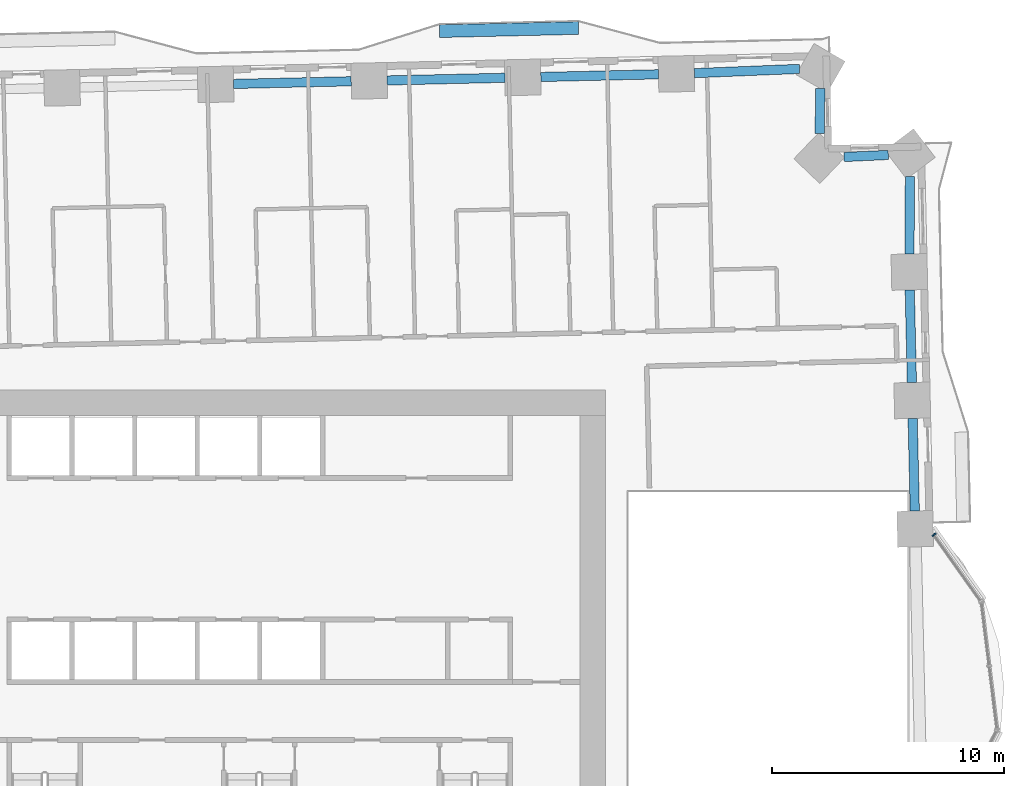
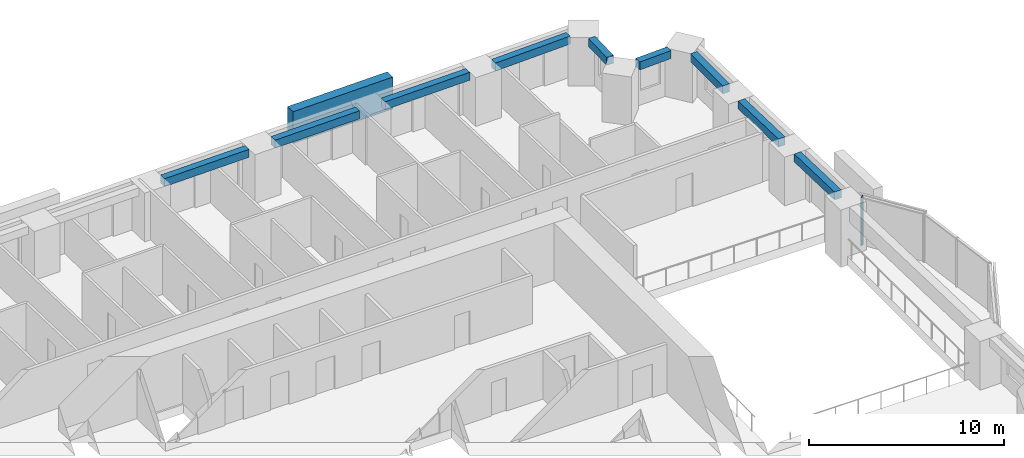
# One storey, part 2 of 16: 9 beams, 2 members, 1 element without a shape of its own.
"""IFC4 building model written with IfcOpenShell, lengths in metres."""

from ifc_helpers import new_model, si_unit, direction, frame, origin, origin_2d, place, context, subcontext, project, spatial, rectangle, extrude, material, material_profile, profile_set, type_object, element, aggregate, save


model = new_model("IFC4")

# Units and contexts
model_context = context("Model", 3, precision=1e-05, world=origin(), true_north=direction((0.0, 1.0)))
body_context = subcontext(model_context, "Body", "Model", "MODEL_VIEW")
ifc_project = project(units=[si_unit("LENGTHUNIT", "METRE"), si_unit("AREAUNIT", "SQUARE_METRE"), si_unit("VOLUMEUNIT", "CUBIC_METRE"), si_unit("PLANEANGLEUNIT", "RADIAN"), si_unit("MASSUNIT", "GRAM", prefix="KILO")], contexts=[model_context])

# Site, building, storey
site_placement = place(None, origin())
site = spatial("IfcSite", under=ifc_project, at=site_placement, CompositionType="ELEMENT")
building_placement = place(site_placement, origin())
building = spatial("IfcBuilding", under=site, at=building_placement, Name="Mangrove Gate Tower", CompositionType="ELEMENT")
storey_placement = place(building_placement, frame((0.0, 0.0, 34.10009765625)))
storey = spatial("IfcBuildingStorey", under=building, at=storey_placement, Name="L07", CompositionType="ELEMENT", Elevation=34.10009765625)

# Curtain wall, member
ifc_material_1 = material(Name="Aluminium and glass curtain wall", Category="aluminium")
curtain_wall_type = type_object("IfcCurtainWallType", Name="Atrium garden-court glazing wall", PredefinedType="NOTDEFINED", material=ifc_material_1)
curtain_wall_placement = place(storey_placement, origin())
curtain_wall = element("IfcCurtainWall", 1, at=curtain_wall_placement, inside=storey, type_object=curtain_wall_type, Name="Atrium garden-court glazing E1f3", PredefinedType="NOTDEFINED")
ifc_material_2 = material(Name="Aluminium alloy 6063-T6", Category="aluminium")
ifc_material_profile_1 = material_profile(ifc_material_2, rectangle(XDim=0.070068359375, YDim=0.199951171875, at=origin_2d()))
ifc_profile_set_1 = profile_set([ifc_material_profile_1], Name="Aluminium alloy 6063-T6")
member_type_1 = type_object("IfcMemberType", Name="Atrium garden-court glazing mullion 70x200", PredefinedType="MULLION", material=ifc_profile_set_1)
member_1_placement = place(storey_placement, frame((29.07177734375, 5.64892578125, 0.0), z_axis=(0.0, 0.0, 1.0), x_axis=(-0.578122631637, 0.815949889877, 0.0)))
member_1 = element("IfcMember", 2, at=member_1_placement, type_object=member_type_1, Name="CWA mullion 2", PredefinedType="MULLION", context=body_context, shape_type="SweptSolid", body=[
    extrude(rectangle(XDim=0.070068359375, YDim=0.199951171875, at=origin_2d()), origin(), (0.0, 0.0, 1.0), 3.0498046875),
])
aggregate(curtain_wall, [member_1])

# Member
ifc_material_3 = material(Name="Planting on aluminium trellis", Category="aluminium")
ifc_material_profile_2 = material_profile(ifc_material_3, rectangle(XDim=0.550048828125, YDim=2.0, at=origin_2d()))
ifc_profile_set_2 = profile_set([ifc_material_profile_2], Name="Planting on aluminium trellis")
member_type_2 = type_object("IfcMemberType", Name="Balcony greenery screen 550x2000", PredefinedType="USERDEFINED", material=ifc_profile_set_2)
member_2_placement = place(storey_placement, frame((7.743896484375, 27.368896484375, 1.7998046875), z_axis=(0.999743178102, 0.022662255828, 0.0), x_axis=(-0.022662255828, 0.999743178102, 0.0)))
element("IfcMember", 3, at=member_2_placement, inside=storey, type_object=member_type_2, Name="GREEN SCREEN L07 N0.1", ObjectType="PLANTING", PredefinedType="USERDEFINED", context=body_context, shape_type="SweptSolid", body=[
    extrude(rectangle(XDim=0.550048828125, YDim=2.0, at=origin_2d()), origin(), (0.0, 0.0, 1.0), 6.00048828125),
])

# Beams
ifc_material_4 = material(Name="Concrete C50/60", Category="concrete")
ifc_material_profile_3 = material_profile(ifc_material_4, rectangle(XDim=0.39990234375, YDim=0.5, at=origin_2d()))
ifc_profile_set_3 = profile_set([ifc_material_profile_3], Name="Concrete C50/60")
beam_type = type_object("IfcBeamType", Name="Edge beam RC 400x500 C50/60", PredefinedType="BEAM", material=ifc_profile_set_3)
beam_1_placement = place(storey_placement, frame((28.24365234375, 6.67919921875, 2.7998046875), z_axis=(-0.022753361423, 0.99974110876, 0.0), x_axis=(-0.99974110876, -0.022753361423, 0.0)))
element("IfcBeam", 4, at=beam_1_placement, inside=storey, type_object=beam_type, Name="Edge beam L07 18", PredefinedType="BEAM", context=body_context, shape_type="SweptSolid", body=[
    extrude(rectangle(XDim=0.39990234375, YDim=0.5, at=origin_2d()), origin(), (0.0, 0.0, 1.0), 3.991455078125),
])
beam_2_placement = place(storey_placement, frame((28.11767578125, 12.21923828125, 2.7998046875), z_axis=(-0.022564441197, 0.999745390584, 0.0), x_axis=(-0.999745390584, -0.022564441197, 0.0)))
element("IfcBeam", 5, at=beam_2_placement, inside=storey, type_object=beam_type, Name="Edge beam L07 19", PredefinedType="BEAM", context=body_context, shape_type="SweptSolid", body=[
    extrude(rectangle(XDim=0.39990234375, YDim=0.5, at=origin_2d()), origin(), (0.0, 0.0, 1.0), 3.992431640625),
])
beam_3_placement = place(storey_placement, frame((28.014892578125, 17.7607421875, 2.7998046875), z_axis=(0.006070689773, 0.999981573193, 0.0), x_axis=(-0.999981573193, 0.006070689773, 0.0)))
element("IfcBeam", 6, at=beam_3_placement, inside=storey, type_object=beam_type, Name="Edge beam L07 20", PredefinedType="BEAM", context=body_context, shape_type="SweptSolid", body=[
    extrude(rectangle(XDim=0.39990234375, YDim=0.5, at=origin_2d()), origin(), (0.0, 0.0, 1.0), 3.337890625),
])
beam_4_placement = place(storey_placement, frame((27.102294921875, 22.03125, 2.7998046875), z_axis=(-0.99890541483, -0.046775765331, 0.0), x_axis=(0.046775765331, -0.99890541483, 0.0)))
element("IfcBeam", 7, at=beam_4_placement, inside=storey, type_object=beam_type, Name="Edge beam L07 21", PredefinedType="BEAM", context=body_context, shape_type="SweptSolid", body=[
    extrude(rectangle(XDim=0.39990234375, YDim=0.5, at=origin_2d()), origin(), (0.0, 0.0, 1.0), 1.910400390625),
])
beam_5_placement = place(storey_placement, frame((24.140625, 22.9482421875, 2.7998046875), z_axis=(0.015187803628, 0.999884658659, 0.0), x_axis=(-0.999884658659, 0.015187803628, 0.0)))
element("IfcBeam", 8, at=beam_5_placement, inside=storey, type_object=beam_type, Name="Edge beam L07 22", PredefinedType="BEAM", context=body_context, shape_type="SweptSolid", body=[
    extrude(rectangle(XDim=0.39990234375, YDim=0.5, at=origin_2d()), origin(), (0.0, 0.0, 1.0), 1.945068359375),
])
beam_6_placement = place(storey_placement, frame((23.26904296875, 25.741455078125, 2.7998046875), z_axis=(-0.99917791823, -0.040539952176, 0.0), x_axis=(0.040539952176, -0.99917791823, 0.0)))
element("IfcBeam", 9, at=beam_6_placement, inside=storey, type_object=beam_type, Name="Edge beam L07 23", PredefinedType="BEAM", context=body_context, shape_type="SweptSolid", body=[
    extrude(rectangle(XDim=0.39990234375, YDim=0.5, at=origin_2d()), origin(), (0.0, 0.0, 1.0), 4.53466796875),
])
beam_7_placement = place(storey_placement, frame((17.188720703125, 25.508544921875, 2.7998046875), z_axis=(-0.999739944427, -0.02280446264, 0.0), x_axis=(0.02280446264, -0.999739944427, 0.0)))
element("IfcBeam", 10, at=beam_7_placement, inside=storey, type_object=beam_type, Name="Edge beam L07 24", PredefinedType="BEAM", context=body_context, shape_type="SweptSolid", body=[
    extrude(rectangle(XDim=0.39990234375, YDim=0.5, at=origin_2d()), origin(), (0.0, 0.0, 1.0), 5.074462890625),
])
beam_8_placement = place(storey_placement, frame((10.56591796875, 25.357666015625, 2.7998046875), z_axis=(-0.999743348065, -0.022654756648, 0.0), x_axis=(0.022654756648, -0.999743348065, 0.0)))
element("IfcBeam", 11, at=beam_8_placement, inside=storey, type_object=beam_type, Name="Edge beam L07 25", PredefinedType="BEAM", context=body_context, shape_type="SweptSolid", body=[
    extrude(rectangle(XDim=0.39990234375, YDim=0.5, at=origin_2d()), origin(), (0.0, 0.0, 1.0), 5.07568359375),
])
beam_9_placement = place(storey_placement, frame((3.941650390625, 25.207763671875, 2.7998046875), z_axis=(-0.999743224589, -0.022660204946, 0.0), x_axis=(0.022660204946, -0.999743224589, 0.0)))
element("IfcBeam", 12, at=beam_9_placement, inside=storey, type_object=beam_type, Name="Edge beam L07 26", PredefinedType="BEAM", context=body_context, shape_type="SweptSolid", body=[
    extrude(rectangle(XDim=0.39990234375, YDim=0.5, at=origin_2d()), origin(), (0.0, 0.0, 1.0), 5.074462890625),
])

save(model, "model.ifc")
